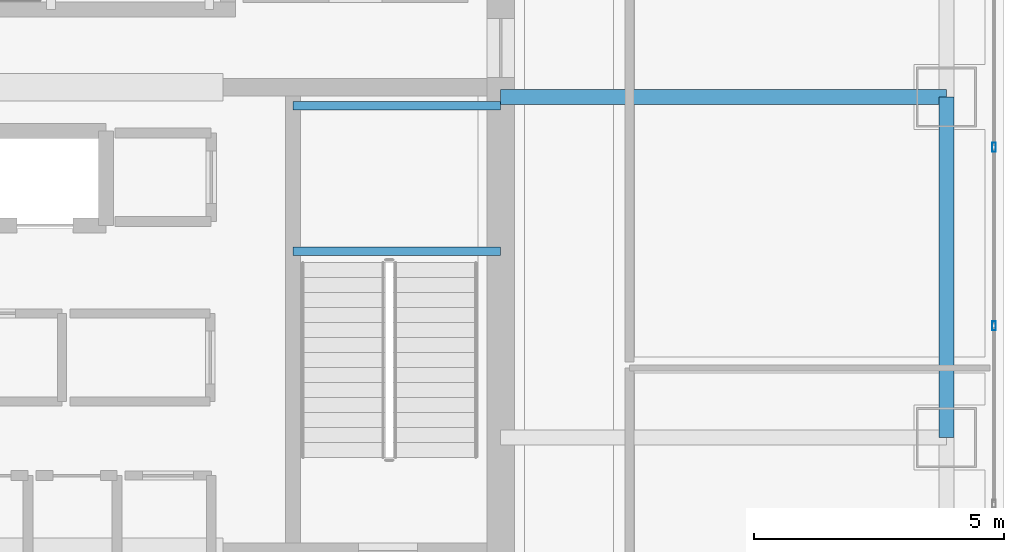
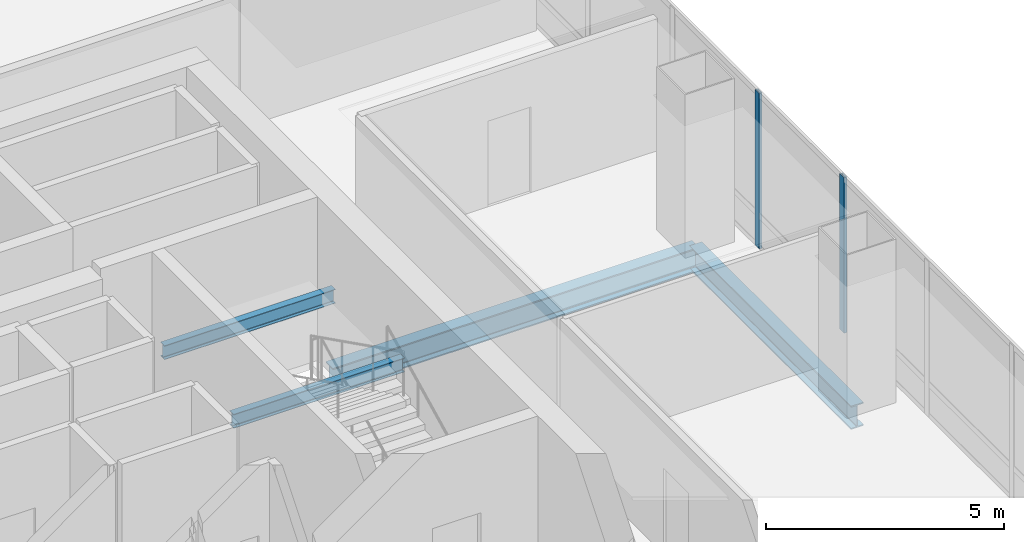
# One storey, part 18 of 41: 4 beams, 2 members, 1 element without a shape of its own.
"""IFC4 building model written with IfcOpenShell, lengths in metres."""

from ifc_helpers import new_model, si_unit, direction, frame, origin, origin_2d, place, context, subcontext, project, spatial, hollow_rectangle, i_section, extrude, material, material_profile, profile_set, type_object, element, aggregate, save


model = new_model("IFC4")

# Units and contexts
model_context = context("Model", 3, precision=1e-05, world=origin(), true_north=direction((0.0, 1.0)))
body_context = subcontext(model_context, "Body", "Model", "MODEL_VIEW")
ifc_project = project(units=[si_unit("LENGTHUNIT", "METRE"), si_unit("AREAUNIT", "SQUARE_METRE"), si_unit("VOLUMEUNIT", "CUBIC_METRE"), si_unit("PLANEANGLEUNIT", "RADIAN"), si_unit("MASSUNIT", "GRAM", prefix="KILO")], contexts=[model_context])

# Site, building, storey
site_placement = place(None, origin())
site = spatial("IfcSite", under=ifc_project, at=site_placement, CompositionType="ELEMENT")
building_placement = place(site_placement, origin())
building = spatial("IfcBuilding", under=site, at=building_placement, Name="Punatoya Terracotta Tower", CompositionType="ELEMENT")
storey_placement = place(building_placement, frame((0.0, 0.0, 288.0)))
storey = spatial("IfcBuildingStorey", under=building, at=storey_placement, Name="L68", CompositionType="ELEMENT", Elevation=288.0)

# Beams
ifc_material_1 = material(Name="Steel S355", Category="steel")
ifc_material_profile_1 = material_profile(ifc_material_1, i_section(OverallWidth=0.300048828125, OverallDepth=0.60009765625, WebThickness=0.015380859375, FlangeThickness=0.030029296875, FilletRadius=0.01806640625, at=origin_2d()))
ifc_profile_set_1 = profile_set([ifc_material_profile_1], Name="Steel S355")
beam_type_1 = type_object("IfcBeamType", Name="BM-PRI-600", PredefinedType="BEAM", material=ifc_profile_set_1)
beam_1_placement = place(storey_placement, frame((19.10009765625, -3.39990234375, -0.5), z_axis=(0.0, 1.0, 0.0), x_axis=(-1.0, 0.0, 0.0)))
element("IfcBeam", 1, at=beam_1_placement, inside=storey, type_object=beam_type_1, Name="BM-L68-RG-E2", PredefinedType="BEAM", context=body_context, shape_type="SweptSolid", body=[
    extrude(i_section(OverallWidth=0.300048828125, OverallDepth=0.60009765625, WebThickness=0.015380859375, FlangeThickness=0.030029296875, FilletRadius=0.01806640625, at=origin_2d()), origin(), (0.0, 0.0, 1.0), 6.7998046875),
])
beam_2_placement = place(storey_placement, frame((10.199951171875, 3.39990234375, -0.5), z_axis=(1.0, 0.0, 0.0), x_axis=(0.0, 1.0, 0.0)))
element("IfcBeam", 2, at=beam_2_placement, inside=storey, type_object=beam_type_1, Name="BM-L68-PR-EE", PredefinedType="BEAM", context=body_context, shape_type="SweptSolid", body=[
    extrude(i_section(OverallWidth=0.300048828125, OverallDepth=0.60009765625, WebThickness=0.015380859375, FlangeThickness=0.030029296875, FilletRadius=0.01806640625, at=origin_2d()), origin(), (0.0, 0.0, 1.0), 8.900146484375),
])
ifc_material_profile_2 = material_profile(ifc_material_1, i_section(OverallWidth=0.169921875, OverallDepth=0.360107421875, WebThickness=0.008056640625, FlangeThickness=0.0126953125, FilletRadius=0.01806640625, at=origin_2d()))
ifc_profile_set_2 = profile_set([ifc_material_profile_2], Name="Steel S355")
beam_type_2 = type_object("IfcBeamType", Name="BM-SEC-360", PredefinedType="JOIST", material=ifc_profile_set_2)
for number, where, z_axis, x_axis, name in (
    (3, (6.050048828125, 0.320068359375, 1.719970703125), (1.0, 0.0, 0.0), (0.0, 1.0, 0.0), "BM-L68-ST-2-LD1A"),
    (4, (6.050048828125, 3.22998046875, 1.719970703125), (1.0, 0.0, 0.0), (0.0, 1.0, 0.0), "BM-L68-ST-2-LD1B"),
):
    element("IfcBeam", number, at=place(storey_placement, frame(where, z_axis=z_axis, x_axis=x_axis)), inside=storey, type_object=beam_type_2, Name=name, PredefinedType="JOIST", context=body_context, shape_type="SweptSolid", body=[
        extrude(i_section(OverallWidth=0.169921875, OverallDepth=0.360107421875, WebThickness=0.008056640625, FlangeThickness=0.0126953125, FilletRadius=0.01806640625, at=origin_2d()), origin(), (0.0, 0.0, 1.0), 4.14990234375),
    ])

# Curtain wall, members
ifc_material_2 = material(Name="Aluminium 6063-T6 + Double Low-E Glass", Category="aluminium")
curtain_wall_type = type_object("IfcCurtainWallType", Name="CW-M3", PredefinedType="NOTDEFINED", material=ifc_material_2)
curtain_wall_placement = place(storey_placement, origin())
curtain_wall = element("IfcCurtainWall", 5, at=curtain_wall_placement, inside=storey, type_object=curtain_wall_type, Name="L68 Curtain Wall CW-L68-E05-1", PredefinedType="NOTDEFINED")
ifc_material_3 = material(Name="Aluminium 6063-T6", Category="aluminium")
ifc_material_profile_3 = material_profile(ifc_material_3, hollow_rectangle(XDim=0.070068359375, YDim=0.179931640625, WallThickness=0.00390625, at=origin_2d()))
ifc_profile_set_3 = profile_set([ifc_material_profile_3], Name="Aluminium 6063-T6")
member_type = type_object("IfcMemberType", Name="CW-MUL-M3", PredefinedType="MULLION", material=ifc_profile_set_3)
member_1_placement = place(storey_placement, frame((20.050048828125, -1.16748046875, 0.0), z_axis=(0.0, 0.0, 1.0), x_axis=(1.0, 0.0, 0.0)))
member_1 = element("IfcMember", 6, at=member_1_placement, type_object=member_type, Name="CW-L68-E05-1 Mullion 04", PredefinedType="MULLION", context=body_context, shape_type="SweptSolid", body=[
    extrude(hollow_rectangle(XDim=0.070068359375, YDim=0.179931640625, WallThickness=0.00390625, at=origin_2d()), origin(), (0.0, 0.0, 1.0), 4.0),
])
member_2_placement = place(storey_placement, frame((20.050048828125, 2.39990234375, 0.0), z_axis=(0.0, 0.0, 1.0), x_axis=(1.0, 0.0, 0.0)))
member_2 = element("IfcMember", 7, at=member_2_placement, type_object=member_type, Name="CW-L68-E05-1 Mullion 05", PredefinedType="MULLION", context=body_context, shape_type="SweptSolid", body=[
    extrude(hollow_rectangle(XDim=0.070068359375, YDim=0.179931640625, WallThickness=0.00390625, at=origin_2d()), origin(), (0.0, 0.0, 1.0), 4.0),
])
aggregate(curtain_wall, [member_1, member_2])

save(model, "model.ifc")
